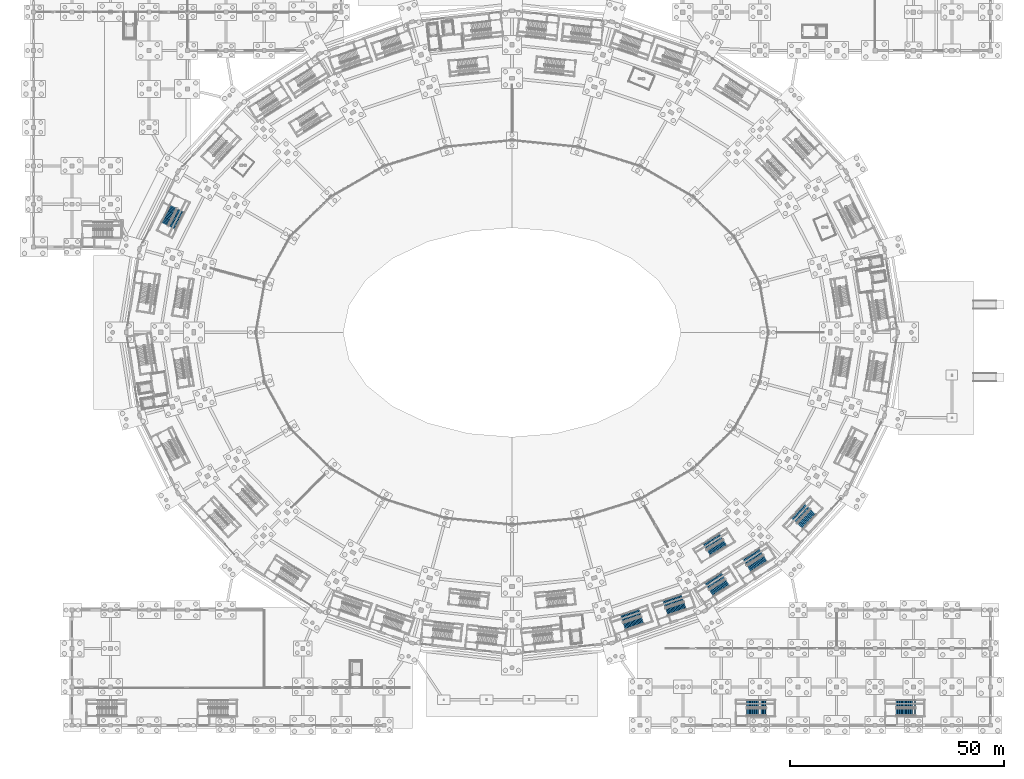
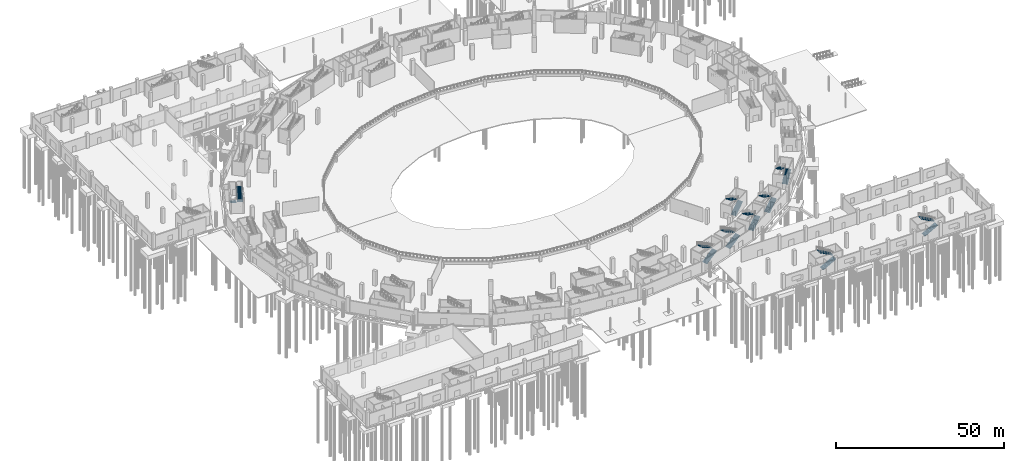
# One storey, part 52 of 103: 18 stair flights, 9 elements without a shape of their own.
"""IFC4 building model written with IfcOpenShell, lengths in metres."""

from ifc_helpers import new_model, si_unit, direction, frame, origin, place, context, subcontext, project, spatial, polyline, outline, extrude, material, type_object, element, aggregate, save


model = new_model("IFC4")

# Units and contexts
model_context = context("Model", 3, precision=1e-05, world=origin(), true_north=direction((0.0, 1.0)))
body_context = subcontext(model_context, "Body", "Model", "MODEL_VIEW")
ifc_project = project(units=[si_unit("LENGTHUNIT", "METRE"), si_unit("AREAUNIT", "SQUARE_METRE"), si_unit("VOLUMEUNIT", "CUBIC_METRE"), si_unit("PLANEANGLEUNIT", "RADIAN"), si_unit("MASSUNIT", "GRAM", prefix="KILO")], contexts=[model_context])

# Site, building, storey
site_placement = place(None, origin())
site = spatial("IfcSite", under=ifc_project, at=site_placement, CompositionType="ELEMENT")
building_placement = place(site_placement, origin())
building = spatial("IfcBuilding", under=site, at=building_placement, Name="Zevraka Park Crest Stadium", CompositionType="ELEMENT")
storey_placement = place(building_placement, origin())
storey = spatial("IfcBuildingStorey", under=building, at=storey_placement, Name="L00", CompositionType="ELEMENT", Elevation=0.0)

# Stair, stair flights
ifc_material_1 = material(Name="Concrete C35/45", Category="concrete")
stair_type_1 = type_object("IfcStairType", Name="STA1", PredefinedType="HALF_TURN_STAIR", material=ifc_material_1)
stair_1_placement = place(storey_placement, origin())
stair_1 = element("IfcStair", 1, at=stair_1_placement, inside=storey, type_object=stair_type_1, Name="L00 Protected Concourse Exit Stair ST11", PredefinedType="HALF_TURN_STAIR")
ifc_material_2 = material(Name="Concrete C35/45", Category="concrete")
stair_flight_type_1 = type_object("IfcStairFlightType", Name="FLA1", PredefinedType="STRAIGHT", material=ifc_material_2)
stair_flight_1_placement = place(storey_placement, frame((32.707763671875, 121.415771484375, 0.0), z_axis=(0.0, 0.0, 1.0), x_axis=(-0.447915140373, -0.894076074518, 0.0)))
stair_flight_1 = element("IfcStairFlight", 2, at=stair_flight_1_placement, type_object=stair_flight_type_1, Name="ST11 flight 1", NumberOfRisers=16, NumberOfTreads=15, PredefinedType="STRAIGHT", RiserHeight=0.16875, TreadLength=0.305, context=body_context, shape_type="SweptSolid", body=[
    extrude(outline(polyline([(0.0, 0.0), (0.0, 0.168701171875), (0.304931640625, 0.168701171875), (0.304931640625, 0.33740234375), (0.610107421875, 0.33740234375), (0.610107421875, 0.50634765625), (0.9150390625, 0.50634765625), (0.9150390625, 0.675048828125), (1.219970703125, 0.675048828125), (1.219970703125, 0.84375), (1.52490234375, 0.84375), (1.52490234375, 1.012451171875), (1.830078125, 1.012451171875), (1.830078125, 1.18115234375), (2.135009765625, 1.18115234375), (2.135009765625, 1.35009765625), (2.43994140625, 1.35009765625), (2.43994140625, 1.518798828125), (2.7451171875, 1.518798828125), (2.7451171875, 1.6875), (3.050048828125, 1.6875), (3.050048828125, 1.856201171875), (3.35498046875, 1.856201171875), (3.35498046875, 2.02490234375), (3.659912109375, 2.02490234375), (3.659912109375, 2.19384765625), (3.965087890625, 2.19384765625), (3.965087890625, 2.362548828125), (4.27001953125, 2.362548828125), (4.27001953125, 2.53125), (4.574951171875, 2.53125), (4.574951171875, 2.699951171875), (4.574951171875, 2.348388671875), (0.330322265625, 0.0), (0.0, 0.0)])), frame((0.0, 0.89990234375, 0.0), z_axis=(0.0, -1.0, 0.0), x_axis=(1.0, 0.0, 0.0)), (0.0, 0.0, 1.0), 1.800048828125),
])
stair_flight_2_placement = place(storey_placement, frame((32.4111328125, 116.447265625, 2.699951171875), z_axis=(0.0, 0.0, 1.0), x_axis=(0.447915140373, 0.894076074518, 0.0)))
stair_flight_2 = element("IfcStairFlight", 3, at=stair_flight_2_placement, type_object=stair_flight_type_1, Name="ST11 flight 2", NumberOfRisers=16, NumberOfTreads=15, PredefinedType="STRAIGHT", RiserHeight=0.16875, TreadLength=0.305, context=body_context, shape_type="SweptSolid", body=[
    extrude(outline(polyline([(0.0, 0.0), (0.0, 0.168701171875), (0.304931640625, 0.168701171875), (0.304931640625, 0.33740234375), (0.610107421875, 0.33740234375), (0.610107421875, 0.50634765625), (0.9150390625, 0.50634765625), (0.9150390625, 0.675048828125), (1.219970703125, 0.675048828125), (1.219970703125, 0.84375), (1.52490234375, 0.84375), (1.52490234375, 1.012451171875), (1.830078125, 1.012451171875), (1.830078125, 1.18115234375), (2.135009765625, 1.18115234375), (2.135009765625, 1.35009765625), (2.43994140625, 1.35009765625), (2.43994140625, 1.518798828125), (2.7451171875, 1.518798828125), (2.7451171875, 1.6875), (3.050048828125, 1.6875), (3.050048828125, 1.856201171875), (3.35498046875, 1.856201171875), (3.35498046875, 2.02490234375), (3.659912109375, 2.02490234375), (3.659912109375, 2.19384765625), (3.965087890625, 2.19384765625), (3.965087890625, 2.362548828125), (4.27001953125, 2.362548828125), (4.27001953125, 2.53125), (4.574951171875, 2.53125), (4.574951171875, 2.699951171875), (4.574951171875, 2.348388671875), (0.330322265625, 0.0), (0.0, 0.0)])), frame((0.0, 0.89990234375, 0.0), z_axis=(0.0, -1.0, 0.0), x_axis=(1.0, 0.0, 0.0)), (0.0, 0.0, 1.0), 1.800048828125),
])
aggregate(stair_1, [stair_flight_1, stair_flight_2])

stair_2_placement = place(storey_placement, origin())
stair_2 = element("IfcStair", 4, at=stair_2_placement, inside=storey, type_object=stair_type_1, Name="L00 Protected Concourse Exit Stair ST20", PredefinedType="HALF_TURN_STAIR")
stair_flight_3_placement = place(storey_placement, frame((138.29150390625, 23.13232421875, 0.0), z_axis=(0.0, 0.0, 1.0), x_axis=(0.946066135515, 0.323973559463, 0.0)))
stair_flight_3 = element("IfcStairFlight", 5, at=stair_flight_3_placement, type_object=stair_flight_type_1, Name="ST20 flight 1", NumberOfRisers=16, NumberOfTreads=15, PredefinedType="STRAIGHT", RiserHeight=0.16875, TreadLength=0.305, context=body_context, shape_type="SweptSolid", body=[
    extrude(outline(polyline([(0.0, 0.0), (0.0, 0.168701171875), (0.304931640625, 0.168701171875), (0.304931640625, 0.33740234375), (0.610107421875, 0.33740234375), (0.610107421875, 0.50634765625), (0.9150390625, 0.50634765625), (0.9150390625, 0.675048828125), (1.219970703125, 0.675048828125), (1.219970703125, 0.84375), (1.52490234375, 0.84375), (1.52490234375, 1.012451171875), (1.830078125, 1.012451171875), (1.830078125, 1.18115234375), (2.135009765625, 1.18115234375), (2.135009765625, 1.35009765625), (2.43994140625, 1.35009765625), (2.43994140625, 1.518798828125), (2.7451171875, 1.518798828125), (2.7451171875, 1.6875), (3.050048828125, 1.6875), (3.050048828125, 1.856201171875), (3.35498046875, 1.856201171875), (3.35498046875, 2.02490234375), (3.659912109375, 2.02490234375), (3.659912109375, 2.19384765625), (3.965087890625, 2.19384765625), (3.965087890625, 2.362548828125), (4.27001953125, 2.362548828125), (4.27001953125, 2.53125), (4.574951171875, 2.53125), (4.574951171875, 2.699951171875), (4.574951171875, 2.348388671875), (0.330322265625, 0.0), (0.0, 0.0)])), frame((0.0, 0.89990234375, 0.0), z_axis=(0.0, -1.0, 0.0), x_axis=(1.0, 0.0, 0.0)), (0.0, 0.0, 1.0), 1.800048828125),
])
stair_flight_4_placement = place(storey_placement, frame((141.98486328125, 26.46875, 2.699951171875), z_axis=(0.0, 0.0, 1.0), x_axis=(-0.946066135515, -0.323973559463, 0.0)))
stair_flight_4 = element("IfcStairFlight", 6, at=stair_flight_4_placement, type_object=stair_flight_type_1, Name="ST20 flight 2", NumberOfRisers=16, NumberOfTreads=15, PredefinedType="STRAIGHT", RiserHeight=0.16875, TreadLength=0.305, context=body_context, shape_type="SweptSolid", body=[
    extrude(outline(polyline([(0.0, 0.0), (0.0, 0.168701171875), (0.304931640625, 0.168701171875), (0.304931640625, 0.33740234375), (0.610107421875, 0.33740234375), (0.610107421875, 0.50634765625), (0.9150390625, 0.50634765625), (0.9150390625, 0.675048828125), (1.219970703125, 0.675048828125), (1.219970703125, 0.84375), (1.52490234375, 0.84375), (1.52490234375, 1.012451171875), (1.830078125, 1.012451171875), (1.830078125, 1.18115234375), (2.135009765625, 1.18115234375), (2.135009765625, 1.35009765625), (2.43994140625, 1.35009765625), (2.43994140625, 1.518798828125), (2.7451171875, 1.518798828125), (2.7451171875, 1.6875), (3.050048828125, 1.6875), (3.050048828125, 1.856201171875), (3.35498046875, 1.856201171875), (3.35498046875, 2.02490234375), (3.659912109375, 2.02490234375), (3.659912109375, 2.19384765625), (3.965087890625, 2.19384765625), (3.965087890625, 2.362548828125), (4.27001953125, 2.362548828125), (4.27001953125, 2.53125), (4.574951171875, 2.53125), (4.574951171875, 2.699951171875), (4.574951171875, 2.348388671875), (0.330322265625, 0.0), (0.0, 0.0)])), frame((0.0, 0.89990234375, 0.0), z_axis=(0.0, -1.0, 0.0), x_axis=(1.0, 0.0, 0.0)), (0.0, 0.0, 1.0), 1.800048828125),
])
aggregate(stair_2, [stair_flight_3, stair_flight_4])

stair_3_placement = place(storey_placement, origin())
stair_3 = element("IfcStair", 7, at=stair_3_placement, inside=storey, type_object=stair_type_1, Name="L00 Protected Concourse Exit Stair ST21", PredefinedType="HALF_TURN_STAIR")
stair_flight_5_placement = place(storey_placement, frame((158.64990234375, 30.957275390625, 0.0), z_axis=(0.0, 0.0, 1.0), x_axis=(0.844397122829, 0.535717741874, 0.0)))
stair_flight_5 = element("IfcStairFlight", 8, at=stair_flight_5_placement, type_object=stair_flight_type_1, Name="ST21 flight 1", NumberOfRisers=16, NumberOfTreads=15, PredefinedType="STRAIGHT", RiserHeight=0.16875, TreadLength=0.305, context=body_context, shape_type="SweptSolid", body=[
    extrude(outline(polyline([(0.0, 0.0), (0.0, 0.168701171875), (0.304931640625, 0.168701171875), (0.304931640625, 0.33740234375), (0.610107421875, 0.33740234375), (0.610107421875, 0.50634765625), (0.9150390625, 0.50634765625), (0.9150390625, 0.675048828125), (1.219970703125, 0.675048828125), (1.219970703125, 0.84375), (1.52490234375, 0.84375), (1.52490234375, 1.012451171875), (1.830078125, 1.012451171875), (1.830078125, 1.18115234375), (2.135009765625, 1.18115234375), (2.135009765625, 1.35009765625), (2.43994140625, 1.35009765625), (2.43994140625, 1.518798828125), (2.7451171875, 1.518798828125), (2.7451171875, 1.6875), (3.050048828125, 1.6875), (3.050048828125, 1.856201171875), (3.35498046875, 1.856201171875), (3.35498046875, 2.02490234375), (3.659912109375, 2.02490234375), (3.659912109375, 2.19384765625), (3.965087890625, 2.19384765625), (3.965087890625, 2.362548828125), (4.27001953125, 2.362548828125), (4.27001953125, 2.53125), (4.574951171875, 2.53125), (4.574951171875, 2.699951171875), (4.574951171875, 2.348388671875), (0.330322265625, 0.0), (0.0, 0.0)])), frame((0.0, 0.89990234375, 0.0), z_axis=(0.0, -1.0, 0.0), x_axis=(1.0, 0.0, 0.0)), (0.0, 0.0, 1.0), 1.800048828125),
])
stair_flight_6_placement = place(storey_placement, frame((161.462890625, 35.063232421875, 2.699951171875), z_axis=(0.0, 0.0, 1.0), x_axis=(-0.844397122829, -0.535717741874, 0.0)))
stair_flight_6 = element("IfcStairFlight", 9, at=stair_flight_6_placement, type_object=stair_flight_type_1, Name="ST21 flight 2", NumberOfRisers=16, NumberOfTreads=15, PredefinedType="STRAIGHT", RiserHeight=0.16875, TreadLength=0.305, context=body_context, shape_type="SweptSolid", body=[
    extrude(outline(polyline([(0.0, 0.0), (0.0, 0.168701171875), (0.304931640625, 0.168701171875), (0.304931640625, 0.33740234375), (0.610107421875, 0.33740234375), (0.610107421875, 0.50634765625), (0.9150390625, 0.50634765625), (0.9150390625, 0.675048828125), (1.219970703125, 0.675048828125), (1.219970703125, 0.84375), (1.52490234375, 0.84375), (1.52490234375, 1.012451171875), (1.830078125, 1.012451171875), (1.830078125, 1.18115234375), (2.135009765625, 1.18115234375), (2.135009765625, 1.35009765625), (2.43994140625, 1.35009765625), (2.43994140625, 1.518798828125), (2.7451171875, 1.518798828125), (2.7451171875, 1.6875), (3.050048828125, 1.6875), (3.050048828125, 1.856201171875), (3.35498046875, 1.856201171875), (3.35498046875, 2.02490234375), (3.659912109375, 2.02490234375), (3.659912109375, 2.19384765625), (3.965087890625, 2.19384765625), (3.965087890625, 2.362548828125), (4.27001953125, 2.362548828125), (4.27001953125, 2.53125), (4.574951171875, 2.53125), (4.574951171875, 2.699951171875), (4.574951171875, 2.348388671875), (0.330322265625, 0.0), (0.0, 0.0)])), frame((0.0, 0.89990234375, 0.0), z_axis=(0.0, -1.0, 0.0), x_axis=(1.0, 0.0, 0.0)), (0.0, 0.0, 1.0), 1.800048828125),
])
aggregate(stair_3, [stair_flight_5, stair_flight_6])

stair_4_placement = place(storey_placement, origin())
stair_4 = element("IfcStair", 10, at=stair_4_placement, inside=storey, type_object=stair_type_1, Name="L00 Protected Concourse Exit Stair ST22", PredefinedType="HALF_TURN_STAIR")
stair_flight_7_placement = place(storey_placement, frame((179.4580078125, 46.634765625, 0.0), z_axis=(0.0, 0.0, 1.0), x_axis=(0.680255347227, 0.732975212793, 0.0)))
stair_flight_7 = element("IfcStairFlight", 11, at=stair_flight_7_placement, type_object=stair_flight_type_1, Name="ST22 flight 1", NumberOfRisers=16, NumberOfTreads=15, PredefinedType="STRAIGHT", RiserHeight=0.16875, TreadLength=0.305, context=body_context, shape_type="SweptSolid", body=[
    extrude(outline(polyline([(0.0, 0.0), (0.0, 0.168701171875), (0.304931640625, 0.168701171875), (0.304931640625, 0.33740234375), (0.610107421875, 0.33740234375), (0.610107421875, 0.50634765625), (0.9150390625, 0.50634765625), (0.9150390625, 0.675048828125), (1.219970703125, 0.675048828125), (1.219970703125, 0.84375), (1.52490234375, 0.84375), (1.52490234375, 1.012451171875), (1.830078125, 1.012451171875), (1.830078125, 1.18115234375), (2.135009765625, 1.18115234375), (2.135009765625, 1.35009765625), (2.43994140625, 1.35009765625), (2.43994140625, 1.518798828125), (2.7451171875, 1.518798828125), (2.7451171875, 1.6875), (3.050048828125, 1.6875), (3.050048828125, 1.856201171875), (3.35498046875, 1.856201171875), (3.35498046875, 2.02490234375), (3.659912109375, 2.02490234375), (3.659912109375, 2.19384765625), (3.965087890625, 2.19384765625), (3.965087890625, 2.362548828125), (4.27001953125, 2.362548828125), (4.27001953125, 2.53125), (4.574951171875, 2.53125), (4.574951171875, 2.699951171875), (4.574951171875, 2.348388671875), (0.330322265625, 0.0), (0.0, 0.0)])), frame((0.0, 0.89990234375, 0.0), z_axis=(0.0, -1.0, 0.0), x_axis=(1.0, 0.0, 0.0)), (0.0, 0.0, 1.0), 1.800048828125),
])
stair_flight_8_placement = place(storey_placement, frame((181.133544921875, 51.3212890625, 2.699951171875), z_axis=(0.0, 0.0, 1.0), x_axis=(-0.680255347227, -0.732975212793, 0.0)))
stair_flight_8 = element("IfcStairFlight", 12, at=stair_flight_8_placement, type_object=stair_flight_type_1, Name="ST22 flight 2", NumberOfRisers=16, NumberOfTreads=15, PredefinedType="STRAIGHT", RiserHeight=0.16875, TreadLength=0.305, context=body_context, shape_type="SweptSolid", body=[
    extrude(outline(polyline([(0.0, 0.0), (0.0, 0.168701171875), (0.304931640625, 0.168701171875), (0.304931640625, 0.33740234375), (0.610107421875, 0.33740234375), (0.610107421875, 0.50634765625), (0.9150390625, 0.50634765625), (0.9150390625, 0.675048828125), (1.219970703125, 0.675048828125), (1.219970703125, 0.84375), (1.52490234375, 0.84375), (1.52490234375, 1.012451171875), (1.830078125, 1.012451171875), (1.830078125, 1.18115234375), (2.135009765625, 1.18115234375), (2.135009765625, 1.35009765625), (2.43994140625, 1.35009765625), (2.43994140625, 1.518798828125), (2.7451171875, 1.518798828125), (2.7451171875, 1.6875), (3.050048828125, 1.6875), (3.050048828125, 1.856201171875), (3.35498046875, 1.856201171875), (3.35498046875, 2.02490234375), (3.659912109375, 2.02490234375), (3.659912109375, 2.19384765625), (3.965087890625, 2.19384765625), (3.965087890625, 2.362548828125), (4.27001953125, 2.362548828125), (4.27001953125, 2.53125), (4.574951171875, 2.53125), (4.574951171875, 2.699951171875), (4.574951171875, 2.348388671875), (0.330322265625, 0.0), (0.0, 0.0)])), frame((0.0, 0.89990234375, 0.0), z_axis=(0.0, -1.0, 0.0), x_axis=(1.0, 0.0, 0.0)), (0.0, 0.0, 1.0), 1.800048828125),
])
aggregate(stair_4, [stair_flight_7, stair_flight_8])

stair_5_placement = place(storey_placement, origin())
stair_5 = element("IfcStair", 13, at=stair_5_placement, inside=storey, type_object=stair_type_1, Name="L00 Protected Paired Concourse Exit Stair ST31", PredefinedType="HALF_TURN_STAIR")
stair_flight_9_placement = place(storey_placement, frame((148.2255859375, 26.533447265625, 0.0), z_axis=(0.0, 0.0, 1.0), x_axis=(0.946066135515, 0.323973559463, 0.0)))
stair_flight_9 = element("IfcStairFlight", 14, at=stair_flight_9_placement, type_object=stair_flight_type_1, Name="ST31 flight 1", NumberOfRisers=16, NumberOfTreads=15, PredefinedType="STRAIGHT", RiserHeight=0.16875, TreadLength=0.305, context=body_context, shape_type="SweptSolid", body=[
    extrude(outline(polyline([(0.0, 0.0), (0.0, 0.168701171875), (0.304931640625, 0.168701171875), (0.304931640625, 0.33740234375), (0.610107421875, 0.33740234375), (0.610107421875, 0.50634765625), (0.9150390625, 0.50634765625), (0.9150390625, 0.675048828125), (1.219970703125, 0.675048828125), (1.219970703125, 0.84375), (1.52490234375, 0.84375), (1.52490234375, 1.012451171875), (1.830078125, 1.012451171875), (1.830078125, 1.18115234375), (2.135009765625, 1.18115234375), (2.135009765625, 1.35009765625), (2.43994140625, 1.35009765625), (2.43994140625, 1.518798828125), (2.7451171875, 1.518798828125), (2.7451171875, 1.6875), (3.050048828125, 1.6875), (3.050048828125, 1.856201171875), (3.35498046875, 1.856201171875), (3.35498046875, 2.02490234375), (3.659912109375, 2.02490234375), (3.659912109375, 2.19384765625), (3.965087890625, 2.19384765625), (3.965087890625, 2.362548828125), (4.27001953125, 2.362548828125), (4.27001953125, 2.53125), (4.574951171875, 2.53125), (4.574951171875, 2.699951171875), (4.574951171875, 2.348388671875), (0.330322265625, 0.0), (0.0, 0.0)])), frame((0.0, 0.89990234375, 0.0), z_axis=(0.0, -1.0, 0.0), x_axis=(1.0, 0.0, 0.0)), (0.0, 0.0, 1.0), 1.800048828125),
])
stair_flight_10_placement = place(storey_placement, frame((151.9189453125, 29.869873046875, 2.699951171875), z_axis=(0.0, 0.0, 1.0), x_axis=(-0.946066135515, -0.323973559463, 0.0)))
stair_flight_10 = element("IfcStairFlight", 15, at=stair_flight_10_placement, type_object=stair_flight_type_1, Name="ST31 flight 2", NumberOfRisers=16, NumberOfTreads=15, PredefinedType="STRAIGHT", RiserHeight=0.16875, TreadLength=0.305, context=body_context, shape_type="SweptSolid", body=[
    extrude(outline(polyline([(0.0, 0.0), (0.0, 0.168701171875), (0.304931640625, 0.168701171875), (0.304931640625, 0.33740234375), (0.610107421875, 0.33740234375), (0.610107421875, 0.50634765625), (0.9150390625, 0.50634765625), (0.9150390625, 0.675048828125), (1.219970703125, 0.675048828125), (1.219970703125, 0.84375), (1.52490234375, 0.84375), (1.52490234375, 1.012451171875), (1.830078125, 1.012451171875), (1.830078125, 1.18115234375), (2.135009765625, 1.18115234375), (2.135009765625, 1.35009765625), (2.43994140625, 1.35009765625), (2.43994140625, 1.518798828125), (2.7451171875, 1.518798828125), (2.7451171875, 1.6875), (3.050048828125, 1.6875), (3.050048828125, 1.856201171875), (3.35498046875, 1.856201171875), (3.35498046875, 2.02490234375), (3.659912109375, 2.02490234375), (3.659912109375, 2.19384765625), (3.965087890625, 2.19384765625), (3.965087890625, 2.362548828125), (4.27001953125, 2.362548828125), (4.27001953125, 2.53125), (4.574951171875, 2.53125), (4.574951171875, 2.699951171875), (4.574951171875, 2.348388671875), (0.330322265625, 0.0), (0.0, 0.0)])), frame((0.0, 0.89990234375, 0.0), z_axis=(0.0, -1.0, 0.0), x_axis=(1.0, 0.0, 0.0)), (0.0, 0.0, 1.0), 1.800048828125),
])
aggregate(stair_5, [stair_flight_9, stair_flight_10])

stair_6_placement = place(storey_placement, origin())
stair_6 = element("IfcStair", 16, at=stair_6_placement, inside=storey, type_object=stair_type_1, Name="L00 Protected Paired Concourse Exit Stair ST32", PredefinedType="HALF_TURN_STAIR")
stair_flight_11_placement = place(storey_placement, frame((167.515869140625, 36.582275390625, 0.0), z_axis=(0.0, 0.0, 1.0), x_axis=(0.844397122829, 0.535717741874, 0.0)))
stair_flight_11 = element("IfcStairFlight", 17, at=stair_flight_11_placement, type_object=stair_flight_type_1, Name="ST32 flight 1", NumberOfRisers=16, NumberOfTreads=15, PredefinedType="STRAIGHT", RiserHeight=0.16875, TreadLength=0.305, context=body_context, shape_type="SweptSolid", body=[
    extrude(outline(polyline([(0.0, 0.0), (0.0, 0.168701171875), (0.304931640625, 0.168701171875), (0.304931640625, 0.33740234375), (0.610107421875, 0.33740234375), (0.610107421875, 0.50634765625), (0.9150390625, 0.50634765625), (0.9150390625, 0.675048828125), (1.219970703125, 0.675048828125), (1.219970703125, 0.84375), (1.52490234375, 0.84375), (1.52490234375, 1.012451171875), (1.830078125, 1.012451171875), (1.830078125, 1.18115234375), (2.135009765625, 1.18115234375), (2.135009765625, 1.35009765625), (2.43994140625, 1.35009765625), (2.43994140625, 1.518798828125), (2.7451171875, 1.518798828125), (2.7451171875, 1.6875), (3.050048828125, 1.6875), (3.050048828125, 1.856201171875), (3.35498046875, 1.856201171875), (3.35498046875, 2.02490234375), (3.659912109375, 2.02490234375), (3.659912109375, 2.19384765625), (3.965087890625, 2.19384765625), (3.965087890625, 2.362548828125), (4.27001953125, 2.362548828125), (4.27001953125, 2.53125), (4.574951171875, 2.53125), (4.574951171875, 2.699951171875), (4.574951171875, 2.348388671875), (0.330322265625, 0.0), (0.0, 0.0)])), frame((0.0, 0.89990234375, 0.0), z_axis=(0.0, -1.0, 0.0), x_axis=(1.0, 0.0, 0.0)), (0.0, 0.0, 1.0), 1.800048828125),
])
stair_flight_12_placement = place(storey_placement, frame((170.328857421875, 40.688232421875, 2.699951171875), z_axis=(0.0, 0.0, 1.0), x_axis=(-0.844397122829, -0.535717741874, 0.0)))
stair_flight_12 = element("IfcStairFlight", 18, at=stair_flight_12_placement, type_object=stair_flight_type_1, Name="ST32 flight 2", NumberOfRisers=16, NumberOfTreads=15, PredefinedType="STRAIGHT", RiserHeight=0.16875, TreadLength=0.305, context=body_context, shape_type="SweptSolid", body=[
    extrude(outline(polyline([(0.0, 0.0), (0.0, 0.168701171875), (0.304931640625, 0.168701171875), (0.304931640625, 0.33740234375), (0.610107421875, 0.33740234375), (0.610107421875, 0.50634765625), (0.9150390625, 0.50634765625), (0.9150390625, 0.675048828125), (1.219970703125, 0.675048828125), (1.219970703125, 0.84375), (1.52490234375, 0.84375), (1.52490234375, 1.012451171875), (1.830078125, 1.012451171875), (1.830078125, 1.18115234375), (2.135009765625, 1.18115234375), (2.135009765625, 1.35009765625), (2.43994140625, 1.35009765625), (2.43994140625, 1.518798828125), (2.7451171875, 1.518798828125), (2.7451171875, 1.6875), (3.050048828125, 1.6875), (3.050048828125, 1.856201171875), (3.35498046875, 1.856201171875), (3.35498046875, 2.02490234375), (3.659912109375, 2.02490234375), (3.659912109375, 2.19384765625), (3.965087890625, 2.19384765625), (3.965087890625, 2.362548828125), (4.27001953125, 2.362548828125), (4.27001953125, 2.53125), (4.574951171875, 2.53125), (4.574951171875, 2.699951171875), (4.574951171875, 2.348388671875), (0.330322265625, 0.0), (0.0, 0.0)])), frame((0.0, 0.89990234375, 0.0), z_axis=(0.0, -1.0, 0.0), x_axis=(1.0, 0.0, 0.0)), (0.0, 0.0, 1.0), 1.800048828125),
])
aggregate(stair_6, [stair_flight_11, stair_flight_12])

ifc_material_3 = material(Name="Concrete C35/45", Category="concrete")
stair_type_2 = type_object("IfcStairType", Name="STB1", PredefinedType="HALF_TURN_STAIR", material=ifc_material_3)
stair_7_placement = place(storey_placement, origin())
stair_7 = element("IfcStair", 19, at=stair_7_placement, inside=storey, type_object=stair_type_2, Name="L00 Protected Concourse Relief Stair ST43", PredefinedType="HALF_TURN_STAIR")
ifc_material_4 = material(Name="Concrete C35/45", Category="concrete")
stair_flight_type_2 = type_object("IfcStairFlightType", Name="FLB1", PredefinedType="STRAIGHT", material=ifc_material_4)
stair_flight_13_placement = place(storey_placement, frame((158.07470703125, 40.2939453125, 0.0), z_axis=(0.0, 0.0, 1.0), x_axis=(0.849693054671, 0.527277643035, 0.0)))
stair_flight_13 = element("IfcStairFlight", 20, at=stair_flight_13_placement, type_object=stair_flight_type_2, Name="ST43 flight 1", NumberOfRisers=16, NumberOfTreads=15, PredefinedType="STRAIGHT", RiserHeight=0.16875, TreadLength=0.305, context=body_context, shape_type="SweptSolid", body=[
    extrude(outline(polyline([(0.0, 0.0), (0.0, 0.168701171875), (0.304931640625, 0.168701171875), (0.304931640625, 0.33740234375), (0.610107421875, 0.33740234375), (0.610107421875, 0.50634765625), (0.9150390625, 0.50634765625), (0.9150390625, 0.675048828125), (1.219970703125, 0.675048828125), (1.219970703125, 0.84375), (1.52490234375, 0.84375), (1.52490234375, 1.012451171875), (1.830078125, 1.012451171875), (1.830078125, 1.18115234375), (2.135009765625, 1.18115234375), (2.135009765625, 1.35009765625), (2.43994140625, 1.35009765625), (2.43994140625, 1.518798828125), (2.7451171875, 1.518798828125), (2.7451171875, 1.6875), (3.050048828125, 1.6875), (3.050048828125, 1.856201171875), (3.35498046875, 1.856201171875), (3.35498046875, 2.02490234375), (3.659912109375, 2.02490234375), (3.659912109375, 2.19384765625), (3.965087890625, 2.19384765625), (3.965087890625, 2.362548828125), (4.27001953125, 2.362548828125), (4.27001953125, 2.53125), (4.574951171875, 2.53125), (4.574951171875, 2.699951171875), (4.574951171875, 2.348388671875), (0.330322265625, 0.0), (0.0, 0.0)])), frame((0.0, 0.824951171875, 0.0), z_axis=(0.0, -1.0, 0.0), x_axis=(1.0, 0.0, 0.0)), (0.0, 0.0, 1.0), 1.64990234375),
])
stair_flight_14_placement = place(storey_placement, frame((161.0078125, 44.244140625, 2.699951171875), z_axis=(0.0, 0.0, 1.0), x_axis=(-0.849693054671, -0.527277643035, 0.0)))
stair_flight_14 = element("IfcStairFlight", 21, at=stair_flight_14_placement, type_object=stair_flight_type_2, Name="ST43 flight 2", NumberOfRisers=16, NumberOfTreads=15, PredefinedType="STRAIGHT", RiserHeight=0.16875, TreadLength=0.305, context=body_context, shape_type="SweptSolid", body=[
    extrude(outline(polyline([(0.0, 0.0), (0.0, 0.168701171875), (0.304931640625, 0.168701171875), (0.304931640625, 0.33740234375), (0.610107421875, 0.33740234375), (0.610107421875, 0.50634765625), (0.9150390625, 0.50634765625), (0.9150390625, 0.675048828125), (1.219970703125, 0.675048828125), (1.219970703125, 0.84375), (1.52490234375, 0.84375), (1.52490234375, 1.012451171875), (1.830078125, 1.012451171875), (1.830078125, 1.18115234375), (2.135009765625, 1.18115234375), (2.135009765625, 1.35009765625), (2.43994140625, 1.35009765625), (2.43994140625, 1.518798828125), (2.7451171875, 1.518798828125), (2.7451171875, 1.6875), (3.050048828125, 1.6875), (3.050048828125, 1.856201171875), (3.35498046875, 1.856201171875), (3.35498046875, 2.02490234375), (3.659912109375, 2.02490234375), (3.659912109375, 2.19384765625), (3.965087890625, 2.19384765625), (3.965087890625, 2.362548828125), (4.27001953125, 2.362548828125), (4.27001953125, 2.53125), (4.574951171875, 2.53125), (4.574951171875, 2.699951171875), (4.574951171875, 2.348388671875), (0.330322265625, 0.0), (0.0, 0.0)])), frame((0.0, 0.824951171875, 0.0), z_axis=(0.0, -1.0, 0.0), x_axis=(1.0, 0.0, 0.0)), (0.0, 0.0, 1.0), 1.64990234375),
])
aggregate(stair_7, [stair_flight_13, stair_flight_14])

ifc_material_5 = material(Name="Concrete C35/45", Category="concrete")
stair_type_3 = type_object("IfcStairType", Name="STC1", PredefinedType="HALF_TURN_STAIR", material=ifc_material_5)
stair_8_placement = place(storey_placement, origin())
stair_8 = element("IfcStair", 22, at=stair_8_placement, inside=storey, type_object=stair_type_3, Name="L00 Southeast Plant Wing West Stair ST53", PredefinedType="HALF_TURN_STAIR")
ifc_material_6 = material(Name="Concrete C35/45", Category="concrete")
stair_flight_type_3 = type_object("IfcStairFlightType", Name="FLC1", PredefinedType="STRAIGHT", material=ifc_material_6)
stair_flight_15_placement = place(storey_placement, frame((166.949951171875, 3.125, 0.0), z_axis=(0.0, 0.0, 1.0), x_axis=(1.0, 0.0, 0.0)))
stair_flight_15 = element("IfcStairFlight", 23, at=stair_flight_15_placement, type_object=stair_flight_type_3, Name="ST53 flight 1", NumberOfRisers=16, NumberOfTreads=15, PredefinedType="STRAIGHT", RiserHeight=0.16875, TreadLength=0.305, context=body_context, shape_type="SweptSolid", body=[
    extrude(outline(polyline([(0.0, 0.0), (0.0, 0.168701171875), (0.304931640625, 0.168701171875), (0.304931640625, 0.33740234375), (0.610107421875, 0.33740234375), (0.610107421875, 0.50634765625), (0.9150390625, 0.50634765625), (0.9150390625, 0.675048828125), (1.219970703125, 0.675048828125), (1.219970703125, 0.84375), (1.52490234375, 0.84375), (1.52490234375, 1.012451171875), (1.830078125, 1.012451171875), (1.830078125, 1.18115234375), (2.135009765625, 1.18115234375), (2.135009765625, 1.35009765625), (2.43994140625, 1.35009765625), (2.43994140625, 1.518798828125), (2.7451171875, 1.518798828125), (2.7451171875, 1.6875), (3.050048828125, 1.6875), (3.050048828125, 1.856201171875), (3.35498046875, 1.856201171875), (3.35498046875, 2.02490234375), (3.659912109375, 2.02490234375), (3.659912109375, 2.19384765625), (3.965087890625, 2.19384765625), (3.965087890625, 2.362548828125), (4.27001953125, 2.362548828125), (4.27001953125, 2.53125), (4.574951171875, 2.53125), (4.574951171875, 2.699951171875), (4.574951171875, 2.348388671875), (0.330322265625, 0.0), (0.0, 0.0)])), frame((0.0, 0.875, 0.0), z_axis=(0.0, -1.0, 0.0), x_axis=(1.0, 0.0, 0.0)), (0.0, 0.0, 1.0), 1.75),
])
stair_flight_16_placement = place(storey_placement, frame((171.52490234375, 5.034912109375, 2.699951171875), z_axis=(0.0, 0.0, 1.0), x_axis=(-1.0, 0.0, 0.0)))
stair_flight_16 = element("IfcStairFlight", 24, at=stair_flight_16_placement, type_object=stair_flight_type_3, Name="ST53 flight 2", NumberOfRisers=16, NumberOfTreads=15, PredefinedType="STRAIGHT", RiserHeight=0.16875, TreadLength=0.305, context=body_context, shape_type="SweptSolid", body=[
    extrude(outline(polyline([(0.0, 0.0), (0.0, 0.168701171875), (0.304931640625, 0.168701171875), (0.304931640625, 0.33740234375), (0.610107421875, 0.33740234375), (0.610107421875, 0.50634765625), (0.9150390625, 0.50634765625), (0.9150390625, 0.675048828125), (1.219970703125, 0.675048828125), (1.219970703125, 0.84375), (1.52490234375, 0.84375), (1.52490234375, 1.012451171875), (1.830078125, 1.012451171875), (1.830078125, 1.18115234375), (2.135009765625, 1.18115234375), (2.135009765625, 1.35009765625), (2.43994140625, 1.35009765625), (2.43994140625, 1.518798828125), (2.7451171875, 1.518798828125), (2.7451171875, 1.6875), (3.050048828125, 1.6875), (3.050048828125, 1.856201171875), (3.35498046875, 1.856201171875), (3.35498046875, 2.02490234375), (3.659912109375, 2.02490234375), (3.659912109375, 2.19384765625), (3.965087890625, 2.19384765625), (3.965087890625, 2.362548828125), (4.27001953125, 2.362548828125), (4.27001953125, 2.53125), (4.574951171875, 2.53125), (4.574951171875, 2.699951171875), (4.574951171875, 2.348388671875), (0.330322265625, 0.0), (0.0, 0.0)])), frame((0.0, 0.875, 0.0), z_axis=(0.0, -1.0, 0.0), x_axis=(1.0, 0.0, 0.0)), (0.0, 0.0, 1.0), 1.75),
])
aggregate(stair_8, [stair_flight_15, stair_flight_16])

stair_9_placement = place(storey_placement, origin())
stair_9 = element("IfcStair", 25, at=stair_9_placement, inside=storey, type_object=stair_type_3, Name="L00 Southeast Plant Wing East Stair ST54", PredefinedType="HALF_TURN_STAIR")
stair_flight_17_placement = place(storey_placement, frame((201.949951171875, 3.125, 0.0), z_axis=(0.0, 0.0, 1.0), x_axis=(1.0, 0.0, 0.0)))
stair_flight_17 = element("IfcStairFlight", 26, at=stair_flight_17_placement, type_object=stair_flight_type_3, Name="ST54 flight 1", NumberOfRisers=16, NumberOfTreads=15, PredefinedType="STRAIGHT", RiserHeight=0.16875, TreadLength=0.305, context=body_context, shape_type="SweptSolid", body=[
    extrude(outline(polyline([(0.0, 0.0), (0.0, 0.168701171875), (0.304931640625, 0.168701171875), (0.304931640625, 0.33740234375), (0.610107421875, 0.33740234375), (0.610107421875, 0.50634765625), (0.9150390625, 0.50634765625), (0.9150390625, 0.675048828125), (1.219970703125, 0.675048828125), (1.219970703125, 0.84375), (1.52490234375, 0.84375), (1.52490234375, 1.012451171875), (1.830078125, 1.012451171875), (1.830078125, 1.18115234375), (2.135009765625, 1.18115234375), (2.135009765625, 1.35009765625), (2.43994140625, 1.35009765625), (2.43994140625, 1.518798828125), (2.7451171875, 1.518798828125), (2.7451171875, 1.6875), (3.050048828125, 1.6875), (3.050048828125, 1.856201171875), (3.35498046875, 1.856201171875), (3.35498046875, 2.02490234375), (3.659912109375, 2.02490234375), (3.659912109375, 2.19384765625), (3.965087890625, 2.19384765625), (3.965087890625, 2.362548828125), (4.27001953125, 2.362548828125), (4.27001953125, 2.53125), (4.574951171875, 2.53125), (4.574951171875, 2.699951171875), (4.574951171875, 2.348388671875), (0.330322265625, 0.0), (0.0, 0.0)])), frame((0.0, 0.875, 0.0), z_axis=(0.0, -1.0, 0.0), x_axis=(1.0, 0.0, 0.0)), (0.0, 0.0, 1.0), 1.75),
])
stair_flight_18_placement = place(storey_placement, frame((206.52490234375, 5.034912109375, 2.699951171875), z_axis=(0.0, 0.0, 1.0), x_axis=(-1.0, 0.0, 0.0)))
stair_flight_18 = element("IfcStairFlight", 27, at=stair_flight_18_placement, type_object=stair_flight_type_3, Name="ST54 flight 2", NumberOfRisers=16, NumberOfTreads=15, PredefinedType="STRAIGHT", RiserHeight=0.16875, TreadLength=0.305, context=body_context, shape_type="SweptSolid", body=[
    extrude(outline(polyline([(0.0, 0.0), (0.0, 0.168701171875), (0.304931640625, 0.168701171875), (0.304931640625, 0.33740234375), (0.610107421875, 0.33740234375), (0.610107421875, 0.50634765625), (0.9150390625, 0.50634765625), (0.9150390625, 0.675048828125), (1.219970703125, 0.675048828125), (1.219970703125, 0.84375), (1.52490234375, 0.84375), (1.52490234375, 1.012451171875), (1.830078125, 1.012451171875), (1.830078125, 1.18115234375), (2.135009765625, 1.18115234375), (2.135009765625, 1.35009765625), (2.43994140625, 1.35009765625), (2.43994140625, 1.518798828125), (2.7451171875, 1.518798828125), (2.7451171875, 1.6875), (3.050048828125, 1.6875), (3.050048828125, 1.856201171875), (3.35498046875, 1.856201171875), (3.35498046875, 2.02490234375), (3.659912109375, 2.02490234375), (3.659912109375, 2.19384765625), (3.965087890625, 2.19384765625), (3.965087890625, 2.362548828125), (4.27001953125, 2.362548828125), (4.27001953125, 2.53125), (4.574951171875, 2.53125), (4.574951171875, 2.699951171875), (4.574951171875, 2.348388671875), (0.330322265625, 0.0), (0.0, 0.0)])), frame((0.0, 0.875, 0.0), z_axis=(0.0, -1.0, 0.0), x_axis=(1.0, 0.0, 0.0)), (0.0, 0.0, 1.0), 1.75),
])
aggregate(stair_9, [stair_flight_17, stair_flight_18])

save(model, "model.ifc")
